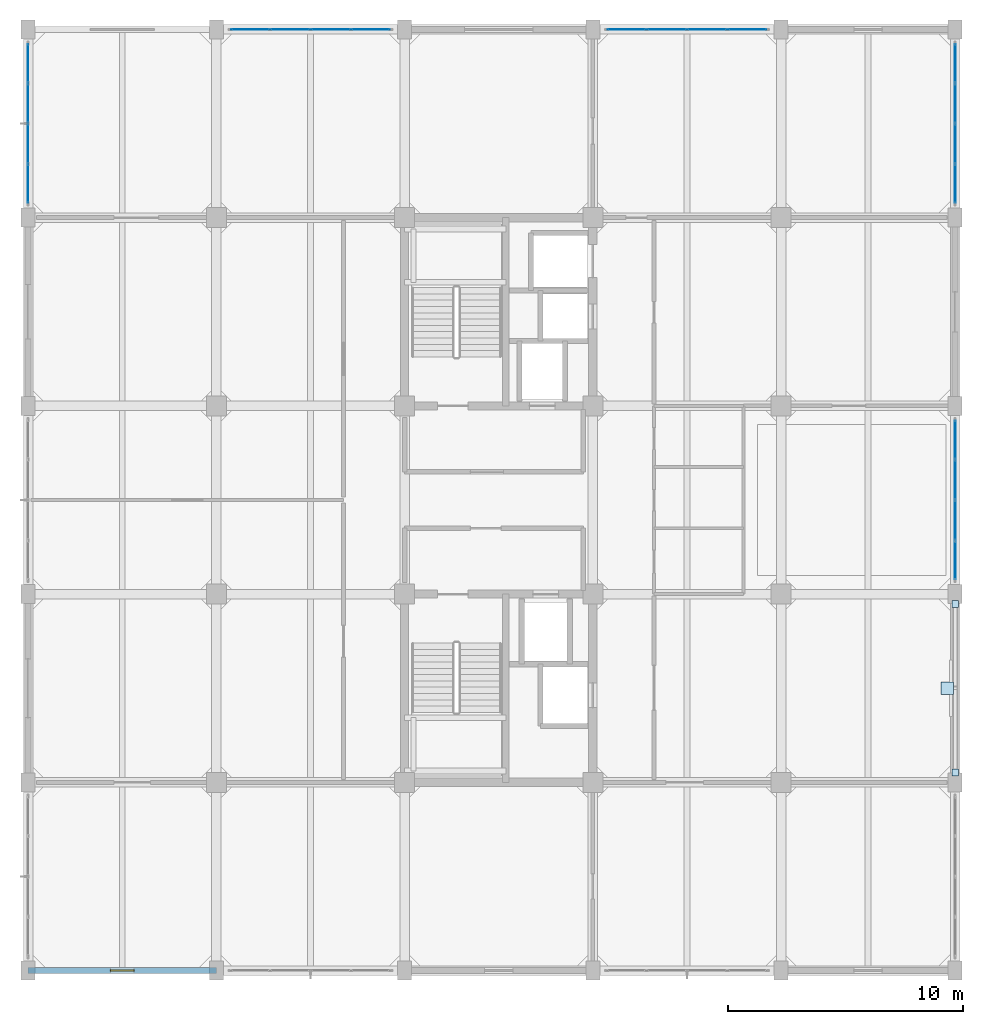
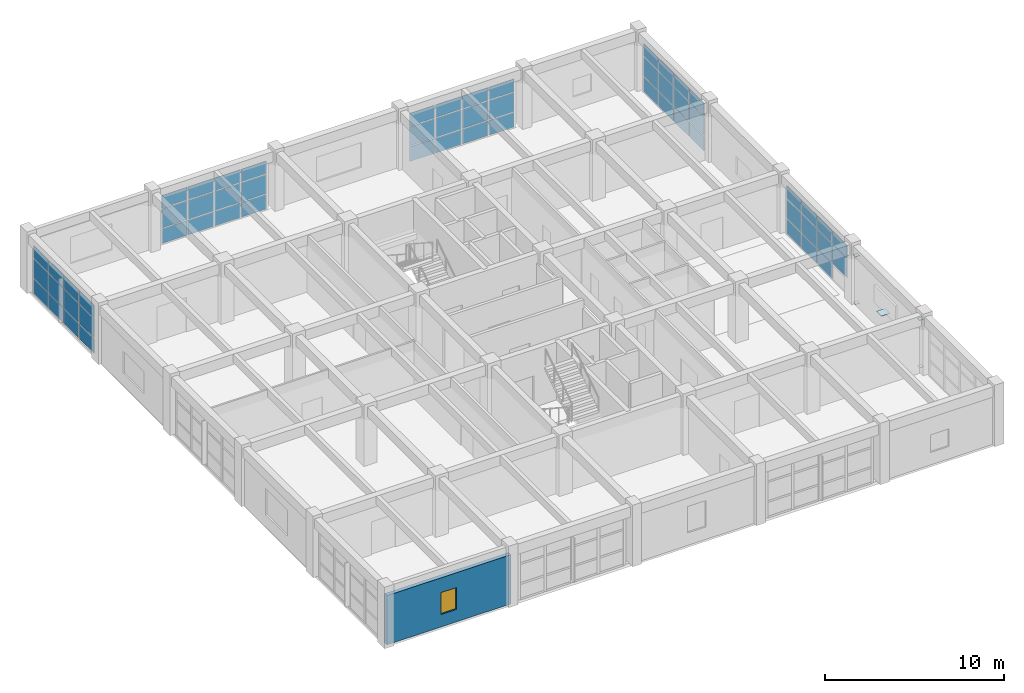
# One storey, part 20 of 27: 64 plates, 1 wall, 1 window, 1 opening, 5 elements without a shape of their own.
"""IFC4 building model written with IfcOpenShell, lengths in metres."""

from ifc_helpers import new_model, si_unit, direction, frame, frame_2d, origin, origin_2d, place, context, subcontext, project, spatial, rectangle, extrude, material, layer, layer_set, type_object, element, fill, aggregate, save


model = new_model("IFC4")

# Units and contexts
model_context = context("Model", 3, precision=1e-05, world=origin(), true_north=direction((0.0, 1.0)))
body_context = subcontext(model_context, "Body", "Model", "MODEL_VIEW")
ifc_project = project(units=[si_unit("LENGTHUNIT", "METRE"), si_unit("AREAUNIT", "SQUARE_METRE"), si_unit("VOLUMEUNIT", "CUBIC_METRE"), si_unit("PLANEANGLEUNIT", "RADIAN"), si_unit("MASSUNIT", "GRAM", prefix="KILO")], contexts=[model_context])

# Site, building, storey
site_placement = place(None, origin())
site = spatial("IfcSite", under=ifc_project, at=site_placement, CompositionType="ELEMENT")
building_placement = place(site_placement, origin())
building = spatial("IfcBuilding", under=site, at=building_placement, Name="Canggui Botanical Conservatory", CompositionType="ELEMENT")
storey_placement = place(building_placement, frame((0.0, 0.0, 31.800048828125)))
storey = spatial("IfcBuildingStorey", under=building, at=storey_placement, Name="L08", CompositionType="ELEMENT", Elevation=31.800048828125)

# Curtain wall, plates
ifc_material_1 = material(Name="Thermally Broken Aluminium", Category="aluminium")
ifc_layer_1 = layer(ifc_material_1, 0.1650390625, Name="Thermally Broken Aluminium", Category="aluminium")
ifc_layer_set_1 = layer_set([ifc_layer_1], Name="Thermally Broken Aluminium")
curtain_wall_type = type_object("IfcCurtainWallType", Name="CW-UNIT-B", PredefinedType="USERDEFINED", material=ifc_layer_set_1)
curtain_wall_1_placement = place(storey_placement, origin())
curtain_wall_1 = element("IfcCurtainWall", 1, at=curtain_wall_1_placement, inside=storey, type_object=curtain_wall_type, Name="Facade Curtain Wall CW-TWR-L08-10", ObjectType="UNITISED CURTAIN WALL", PredefinedType="USERDEFINED")
ifc_material_2 = material(Name="Low-E Insulated Glass", Category="glass")
ifc_layer_2 = layer(ifc_material_2, 0.030029296875, Name="Low-E Insulated Glass", Category="glass")
ifc_layer_set_2 = layer_set([ifc_layer_2], Name="Low-E Insulated Glass")
plate_type_1 = type_object("IfcPlateType", Name="CWP-02", PredefinedType="CURTAIN_PANEL", material=ifc_layer_set_2)
plate_1_placement = place(storey_placement, frame((138.0, 67.436279296875, 0.059814453125), z_axis=(0.0, 0.0, 1.0), x_axis=(0.0, 1.0, 0.0)))
plate_1 = element("IfcPlate", 2, at=plate_1_placement, type_object=plate_type_1, Name="CW-02 panel 1.1", PredefinedType="CURTAIN_PANEL", context=body_context, shape_type="SweptSolid", body=[
    extrude(rectangle(XDim=1.62255859375, YDim=0.030029296875, at=origin_2d()), origin(), (0.0, 0.0, 1.0), 0.998046875),
])
plate_2_placement = place(storey_placement, frame((138.0, 67.436279296875, 1.1181640625), z_axis=(0.0, 0.0, 1.0), x_axis=(0.0, 1.0, 0.0)))
plate_2 = element("IfcPlate", 3, at=plate_2_placement, type_object=plate_type_1, Name="CW-02 panel 1.2", PredefinedType="CURTAIN_PANEL", context=body_context, shape_type="SweptSolid", body=[
    extrude(rectangle(XDim=1.62255859375, YDim=0.030029296875, at=origin_2d()), origin(), (0.0, 0.0, 1.0), 1.300048828125),
])
plate_3_placement = place(storey_placement, frame((138.0, 67.436279296875, 2.47802734375), z_axis=(0.0, 0.0, 1.0), x_axis=(0.0, 1.0, 0.0)))
plate_3 = element("IfcPlate", 4, at=plate_3_placement, type_object=plate_type_1, Name="CW-02 panel 1.3", PredefinedType="CURTAIN_PANEL", context=body_context, shape_type="SweptSolid", body=[
    extrude(rectangle(XDim=1.62255859375, YDim=0.030029296875, at=origin_2d()), origin(), (0.0, 0.0, 1.0), 0.862060546875),
])
plate_4_placement = place(storey_placement, frame((138.0, 69.139892578125, 0.059814453125), z_axis=(0.0, 0.0, 1.0), x_axis=(0.0, 1.0, 0.0)))
plate_4 = element("IfcPlate", 5, at=plate_4_placement, type_object=plate_type_1, Name="CW-02 panel 2.1", PredefinedType="CURTAIN_PANEL", context=body_context, shape_type="SweptSolid", body=[
    extrude(rectangle(XDim=1.655029296875, YDim=0.030029296875, at=origin_2d()), origin(), (0.0, 0.0, 1.0), 0.998046875),
])
plate_5_placement = place(storey_placement, frame((138.0, 69.139892578125, 1.1181640625), z_axis=(0.0, 0.0, 1.0), x_axis=(0.0, 1.0, 0.0)))
plate_5 = element("IfcPlate", 6, at=plate_5_placement, type_object=plate_type_1, Name="CW-02 panel 2.2", PredefinedType="CURTAIN_PANEL", context=body_context, shape_type="SweptSolid", body=[
    extrude(rectangle(XDim=1.655029296875, YDim=0.030029296875, at=origin_2d()), origin(), (0.0, 0.0, 1.0), 1.300048828125),
])
plate_6_placement = place(storey_placement, frame((138.0, 69.139892578125, 2.47802734375), z_axis=(0.0, 0.0, 1.0), x_axis=(0.0, 1.0, 0.0)))
plate_6 = element("IfcPlate", 7, at=plate_6_placement, type_object=plate_type_1, Name="CW-02 panel 2.3", PredefinedType="CURTAIN_PANEL", context=body_context, shape_type="SweptSolid", body=[
    extrude(rectangle(XDim=1.655029296875, YDim=0.030029296875, at=origin_2d()), origin(), (0.0, 0.0, 1.0), 0.862060546875),
])
plate_7_placement = place(storey_placement, frame((138.0, 70.860107421875, 0.059814453125), z_axis=(0.0, 0.0, 1.0), x_axis=(0.0, 1.0, 0.0)))
plate_7 = element("IfcPlate", 8, at=plate_7_placement, type_object=plate_type_1, Name="CW-02 panel 3.1", PredefinedType="CURTAIN_PANEL", context=body_context, shape_type="SweptSolid", body=[
    extrude(rectangle(XDim=1.655029296875, YDim=0.030029296875, at=origin_2d()), origin(), (0.0, 0.0, 1.0), 0.998046875),
])
plate_8_placement = place(storey_placement, frame((138.0, 70.860107421875, 1.1181640625), z_axis=(0.0, 0.0, 1.0), x_axis=(0.0, 1.0, 0.0)))
plate_8 = element("IfcPlate", 9, at=plate_8_placement, type_object=plate_type_1, Name="CW-02 panel 3.2", PredefinedType="CURTAIN_PANEL", context=body_context, shape_type="SweptSolid", body=[
    extrude(rectangle(XDim=1.655029296875, YDim=0.030029296875, at=origin_2d()), origin(), (0.0, 0.0, 1.0), 1.300048828125),
])
plate_9_placement = place(storey_placement, frame((138.0, 70.860107421875, 2.47802734375), z_axis=(0.0, 0.0, 1.0), x_axis=(0.0, 1.0, 0.0)))
plate_9 = element("IfcPlate", 10, at=plate_9_placement, type_object=plate_type_1, Name="CW-02 panel 3.3", PredefinedType="CURTAIN_PANEL", context=body_context, shape_type="SweptSolid", body=[
    extrude(rectangle(XDim=1.655029296875, YDim=0.030029296875, at=origin_2d()), origin(), (0.0, 0.0, 1.0), 0.862060546875),
])
plate_10_placement = place(storey_placement, frame((138.0, 72.563720703125, 0.059814453125), z_axis=(0.0, 0.0, 1.0), x_axis=(0.0, 1.0, 0.0)))
plate_10 = element("IfcPlate", 11, at=plate_10_placement, type_object=plate_type_1, Name="CW-02 panel 4.1", PredefinedType="CURTAIN_PANEL", context=body_context, shape_type="SweptSolid", body=[
    extrude(rectangle(XDim=1.62255859375, YDim=0.030029296875, at=origin_2d()), origin(), (0.0, 0.0, 1.0), 0.998046875),
])
plate_11_placement = place(storey_placement, frame((138.0, 72.563720703125, 1.1181640625), z_axis=(0.0, 0.0, 1.0), x_axis=(0.0, 1.0, 0.0)))
plate_11 = element("IfcPlate", 12, at=plate_11_placement, type_object=plate_type_1, Name="CW-02 panel 4.2", PredefinedType="CURTAIN_PANEL", context=body_context, shape_type="SweptSolid", body=[
    extrude(rectangle(XDim=1.62255859375, YDim=0.030029296875, at=origin_2d()), origin(), (0.0, 0.0, 1.0), 1.300048828125),
])
plate_12_placement = place(storey_placement, frame((138.0, 72.563720703125, 2.47802734375), z_axis=(0.0, 0.0, 1.0), x_axis=(0.0, 1.0, 0.0)))
plate_12 = element("IfcPlate", 13, at=plate_12_placement, type_object=plate_type_1, Name="CW-02 panel 4.3", PredefinedType="CURTAIN_PANEL", context=body_context, shape_type="SweptSolid", body=[
    extrude(rectangle(XDim=1.62255859375, YDim=0.030029296875, at=origin_2d()), origin(), (0.0, 0.0, 1.0), 0.862060546875),
])
aggregate(curtain_wall_1, [plate_1, plate_2, plate_3, plate_4, plate_5, plate_6, plate_7, plate_8, plate_9, plate_10, plate_11, plate_12])

curtain_wall_2_placement = place(storey_placement, origin())
curtain_wall_2 = element("IfcCurtainWall", 14, at=curtain_wall_2_placement, inside=storey, type_object=curtain_wall_type, Name="Facade Curtain Wall CW-TWR-L08-12", ObjectType="UNITISED CURTAIN WALL", PredefinedType="USERDEFINED")
plate_13_placement = place(storey_placement, frame((147.436279296875, 74.0, 0.059814453125), z_axis=(0.0, 0.0, 1.0), x_axis=(1.0, 0.0, 0.0)))
plate_13 = element("IfcPlate", 15, at=plate_13_placement, type_object=plate_type_1, Name="CW-02 panel 1.1", PredefinedType="CURTAIN_PANEL", context=body_context, shape_type="SweptSolid", body=[
    extrude(rectangle(XDim=1.62255859375, YDim=0.030029296875, at=origin_2d()), origin(), (0.0, 0.0, 1.0), 0.998046875),
])
plate_14_placement = place(storey_placement, frame((147.436279296875, 74.0, 1.1181640625), z_axis=(0.0, 0.0, 1.0), x_axis=(1.0, 0.0, 0.0)))
plate_14 = element("IfcPlate", 16, at=plate_14_placement, type_object=plate_type_1, Name="CW-02 panel 1.2", PredefinedType="CURTAIN_PANEL", context=body_context, shape_type="SweptSolid", body=[
    extrude(rectangle(XDim=1.62255859375, YDim=0.030029296875, at=origin_2d()), origin(), (0.0, 0.0, 1.0), 1.300048828125),
])
plate_15_placement = place(storey_placement, frame((147.436279296875, 74.0, 2.47802734375), z_axis=(0.0, 0.0, 1.0), x_axis=(1.0, 0.0, 0.0)))
plate_15 = element("IfcPlate", 17, at=plate_15_placement, type_object=plate_type_1, Name="CW-02 panel 1.3", PredefinedType="CURTAIN_PANEL", context=body_context, shape_type="SweptSolid", body=[
    extrude(rectangle(XDim=1.62255859375, YDim=0.030029296875, at=origin_2d()), origin(), (0.0, 0.0, 1.0), 0.862060546875),
])
plate_16_placement = place(storey_placement, frame((149.139892578125, 74.0, 0.059814453125), z_axis=(0.0, 0.0, 1.0), x_axis=(1.0, 0.0, 0.0)))
plate_16 = element("IfcPlate", 18, at=plate_16_placement, type_object=plate_type_1, Name="CW-02 panel 2.1", PredefinedType="CURTAIN_PANEL", context=body_context, shape_type="SweptSolid", body=[
    extrude(rectangle(XDim=1.655029296875, YDim=0.030029296875, at=origin_2d()), origin(), (0.0, 0.0, 1.0), 0.998046875),
])
plate_17_placement = place(storey_placement, frame((149.139892578125, 74.0, 1.1181640625), z_axis=(0.0, 0.0, 1.0), x_axis=(1.0, 0.0, 0.0)))
plate_17 = element("IfcPlate", 19, at=plate_17_placement, type_object=plate_type_1, Name="CW-02 panel 2.2", PredefinedType="CURTAIN_PANEL", context=body_context, shape_type="SweptSolid", body=[
    extrude(rectangle(XDim=1.655029296875, YDim=0.030029296875, at=origin_2d()), origin(), (0.0, 0.0, 1.0), 1.300048828125),
])
plate_18_placement = place(storey_placement, frame((149.139892578125, 74.0, 2.47802734375), z_axis=(0.0, 0.0, 1.0), x_axis=(1.0, 0.0, 0.0)))
plate_18 = element("IfcPlate", 20, at=plate_18_placement, type_object=plate_type_1, Name="CW-02 panel 2.3", PredefinedType="CURTAIN_PANEL", context=body_context, shape_type="SweptSolid", body=[
    extrude(rectangle(XDim=1.655029296875, YDim=0.030029296875, at=origin_2d()), origin(), (0.0, 0.0, 1.0), 0.862060546875),
])
plate_19_placement = place(storey_placement, frame((150.860107421875, 74.0, 0.059814453125), z_axis=(0.0, 0.0, 1.0), x_axis=(1.0, 0.0, 0.0)))
plate_19 = element("IfcPlate", 21, at=plate_19_placement, type_object=plate_type_1, Name="CW-02 panel 3.1", PredefinedType="CURTAIN_PANEL", context=body_context, shape_type="SweptSolid", body=[
    extrude(rectangle(XDim=1.655029296875, YDim=0.030029296875, at=origin_2d()), origin(), (0.0, 0.0, 1.0), 0.998046875),
])
plate_20_placement = place(storey_placement, frame((150.860107421875, 74.0, 1.1181640625), z_axis=(0.0, 0.0, 1.0), x_axis=(1.0, 0.0, 0.0)))
plate_20 = element("IfcPlate", 22, at=plate_20_placement, type_object=plate_type_1, Name="CW-02 panel 3.2", PredefinedType="CURTAIN_PANEL", context=body_context, shape_type="SweptSolid", body=[
    extrude(rectangle(XDim=1.655029296875, YDim=0.030029296875, at=origin_2d()), origin(), (0.0, 0.0, 1.0), 1.300048828125),
])
plate_21_placement = place(storey_placement, frame((150.860107421875, 74.0, 2.47802734375), z_axis=(0.0, 0.0, 1.0), x_axis=(1.0, 0.0, 0.0)))
plate_21 = element("IfcPlate", 23, at=plate_21_placement, type_object=plate_type_1, Name="CW-02 panel 3.3", PredefinedType="CURTAIN_PANEL", context=body_context, shape_type="SweptSolid", body=[
    extrude(rectangle(XDim=1.655029296875, YDim=0.030029296875, at=origin_2d()), origin(), (0.0, 0.0, 1.0), 0.862060546875),
])
plate_22_placement = place(storey_placement, frame((152.563720703125, 74.0, 0.059814453125), z_axis=(0.0, 0.0, 1.0), x_axis=(1.0, 0.0, 0.0)))
plate_22 = element("IfcPlate", 24, at=plate_22_placement, type_object=plate_type_1, Name="CW-02 panel 4.1", PredefinedType="CURTAIN_PANEL", context=body_context, shape_type="SweptSolid", body=[
    extrude(rectangle(XDim=1.62255859375, YDim=0.030029296875, at=origin_2d()), origin(), (0.0, 0.0, 1.0), 0.998046875),
])
plate_23_placement = place(storey_placement, frame((152.563720703125, 74.0, 1.1181640625), z_axis=(0.0, 0.0, 1.0), x_axis=(1.0, 0.0, 0.0)))
plate_23 = element("IfcPlate", 25, at=plate_23_placement, type_object=plate_type_1, Name="CW-02 panel 4.2", PredefinedType="CURTAIN_PANEL", context=body_context, shape_type="SweptSolid", body=[
    extrude(rectangle(XDim=1.62255859375, YDim=0.030029296875, at=origin_2d()), origin(), (0.0, 0.0, 1.0), 1.300048828125),
])
plate_24_placement = place(storey_placement, frame((152.563720703125, 74.0, 2.47802734375), z_axis=(0.0, 0.0, 1.0), x_axis=(1.0, 0.0, 0.0)))
plate_24 = element("IfcPlate", 26, at=plate_24_placement, type_object=plate_type_1, Name="CW-02 panel 4.3", PredefinedType="CURTAIN_PANEL", context=body_context, shape_type="SweptSolid", body=[
    extrude(rectangle(XDim=1.62255859375, YDim=0.030029296875, at=origin_2d()), origin(), (0.0, 0.0, 1.0), 0.862060546875),
])
aggregate(curtain_wall_2, [plate_13, plate_14, plate_15, plate_16, plate_17, plate_18, plate_19, plate_20, plate_21, plate_22, plate_23, plate_24])

curtain_wall_3_placement = place(storey_placement, origin())
curtain_wall_3 = element("IfcCurtainWall", 27, at=curtain_wall_3_placement, inside=storey, type_object=curtain_wall_type, Name="Facade Curtain Wall CW-TWR-L08-14", ObjectType="UNITISED CURTAIN WALL", PredefinedType="USERDEFINED")
plate_25_placement = place(storey_placement, frame((163.436279296875, 74.0, 0.059814453125), z_axis=(0.0, 0.0, 1.0), x_axis=(1.0, 0.0, 0.0)))
plate_25 = element("IfcPlate", 28, at=plate_25_placement, type_object=plate_type_1, Name="CW-02 panel 1.1", PredefinedType="CURTAIN_PANEL", context=body_context, shape_type="SweptSolid", body=[
    extrude(rectangle(XDim=1.62255859375, YDim=0.030029296875, at=origin_2d()), origin(), (0.0, 0.0, 1.0), 0.998046875),
])
plate_26_placement = place(storey_placement, frame((163.436279296875, 74.0, 1.1181640625), z_axis=(0.0, 0.0, 1.0), x_axis=(1.0, 0.0, 0.0)))
plate_26 = element("IfcPlate", 29, at=plate_26_placement, type_object=plate_type_1, Name="CW-02 panel 1.2", PredefinedType="CURTAIN_PANEL", context=body_context, shape_type="SweptSolid", body=[
    extrude(rectangle(XDim=1.62255859375, YDim=0.030029296875, at=origin_2d()), origin(), (0.0, 0.0, 1.0), 1.300048828125),
])
plate_27_placement = place(storey_placement, frame((163.436279296875, 74.0, 2.47802734375), z_axis=(0.0, 0.0, 1.0), x_axis=(1.0, 0.0, 0.0)))
plate_27 = element("IfcPlate", 30, at=plate_27_placement, type_object=plate_type_1, Name="CW-02 panel 1.3", PredefinedType="CURTAIN_PANEL", context=body_context, shape_type="SweptSolid", body=[
    extrude(rectangle(XDim=1.62255859375, YDim=0.030029296875, at=origin_2d()), origin(), (0.0, 0.0, 1.0), 0.862060546875),
])
plate_28_placement = place(storey_placement, frame((165.139892578125, 74.0, 0.059814453125), z_axis=(0.0, 0.0, 1.0), x_axis=(1.0, 0.0, 0.0)))
plate_28 = element("IfcPlate", 31, at=plate_28_placement, type_object=plate_type_1, Name="CW-02 panel 2.1", PredefinedType="CURTAIN_PANEL", context=body_context, shape_type="SweptSolid", body=[
    extrude(rectangle(XDim=1.655029296875, YDim=0.030029296875, at=origin_2d()), origin(), (0.0, 0.0, 1.0), 0.998046875),
])
plate_29_placement = place(storey_placement, frame((165.139892578125, 74.0, 1.1181640625), z_axis=(0.0, 0.0, 1.0), x_axis=(1.0, 0.0, 0.0)))
plate_29 = element("IfcPlate", 32, at=plate_29_placement, type_object=plate_type_1, Name="CW-02 panel 2.2", PredefinedType="CURTAIN_PANEL", context=body_context, shape_type="SweptSolid", body=[
    extrude(rectangle(XDim=1.655029296875, YDim=0.030029296875, at=origin_2d()), origin(), (0.0, 0.0, 1.0), 1.300048828125),
])
plate_30_placement = place(storey_placement, frame((165.139892578125, 74.0, 2.47802734375), z_axis=(0.0, 0.0, 1.0), x_axis=(1.0, 0.0, 0.0)))
plate_30 = element("IfcPlate", 33, at=plate_30_placement, type_object=plate_type_1, Name="CW-02 panel 2.3", PredefinedType="CURTAIN_PANEL", context=body_context, shape_type="SweptSolid", body=[
    extrude(rectangle(XDim=1.655029296875, YDim=0.030029296875, at=origin_2d()), origin(), (0.0, 0.0, 1.0), 0.862060546875),
])
plate_31_placement = place(storey_placement, frame((166.860107421875, 74.0, 0.059814453125), z_axis=(0.0, 0.0, 1.0), x_axis=(1.0, 0.0, 0.0)))
plate_31 = element("IfcPlate", 34, at=plate_31_placement, type_object=plate_type_1, Name="CW-02 panel 3.1", PredefinedType="CURTAIN_PANEL", context=body_context, shape_type="SweptSolid", body=[
    extrude(rectangle(XDim=1.655029296875, YDim=0.030029296875, at=origin_2d()), origin(), (0.0, 0.0, 1.0), 0.998046875),
])
plate_32_placement = place(storey_placement, frame((166.860107421875, 74.0, 1.1181640625), z_axis=(0.0, 0.0, 1.0), x_axis=(1.0, 0.0, 0.0)))
plate_32 = element("IfcPlate", 35, at=plate_32_placement, type_object=plate_type_1, Name="CW-02 panel 3.2", PredefinedType="CURTAIN_PANEL", context=body_context, shape_type="SweptSolid", body=[
    extrude(rectangle(XDim=1.655029296875, YDim=0.030029296875, at=origin_2d()), origin(), (0.0, 0.0, 1.0), 1.300048828125),
])
plate_33_placement = place(storey_placement, frame((166.860107421875, 74.0, 2.47802734375), z_axis=(0.0, 0.0, 1.0), x_axis=(1.0, 0.0, 0.0)))
plate_33 = element("IfcPlate", 36, at=plate_33_placement, type_object=plate_type_1, Name="CW-02 panel 3.3", PredefinedType="CURTAIN_PANEL", context=body_context, shape_type="SweptSolid", body=[
    extrude(rectangle(XDim=1.655029296875, YDim=0.030029296875, at=origin_2d()), origin(), (0.0, 0.0, 1.0), 0.862060546875),
])
plate_34_placement = place(storey_placement, frame((168.563720703125, 74.0, 0.059814453125), z_axis=(0.0, 0.0, 1.0), x_axis=(1.0, 0.0, 0.0)))
plate_34 = element("IfcPlate", 37, at=plate_34_placement, type_object=plate_type_1, Name="CW-02 panel 4.1", PredefinedType="CURTAIN_PANEL", context=body_context, shape_type="SweptSolid", body=[
    extrude(rectangle(XDim=1.62255859375, YDim=0.030029296875, at=origin_2d()), origin(), (0.0, 0.0, 1.0), 0.998046875),
])
plate_35_placement = place(storey_placement, frame((168.563720703125, 74.0, 1.1181640625), z_axis=(0.0, 0.0, 1.0), x_axis=(1.0, 0.0, 0.0)))
plate_35 = element("IfcPlate", 38, at=plate_35_placement, type_object=plate_type_1, Name="CW-02 panel 4.2", PredefinedType="CURTAIN_PANEL", context=body_context, shape_type="SweptSolid", body=[
    extrude(rectangle(XDim=1.62255859375, YDim=0.030029296875, at=origin_2d()), origin(), (0.0, 0.0, 1.0), 1.300048828125),
])
plate_36_placement = place(storey_placement, frame((168.563720703125, 74.0, 2.47802734375), z_axis=(0.0, 0.0, 1.0), x_axis=(1.0, 0.0, 0.0)))
plate_36 = element("IfcPlate", 39, at=plate_36_placement, type_object=plate_type_1, Name="CW-02 panel 4.3", PredefinedType="CURTAIN_PANEL", context=body_context, shape_type="SweptSolid", body=[
    extrude(rectangle(XDim=1.62255859375, YDim=0.030029296875, at=origin_2d()), origin(), (0.0, 0.0, 1.0), 0.862060546875),
])
aggregate(curtain_wall_3, [plate_25, plate_26, plate_27, plate_28, plate_29, plate_30, plate_31, plate_32, plate_33, plate_34, plate_35, plate_36])

curtain_wall_4_placement = place(storey_placement, origin())
curtain_wall_4 = element("IfcCurtainWall", 40, at=curtain_wall_4_placement, inside=storey, type_object=curtain_wall_type, Name="Facade Curtain Wall CW-TWR-L08-16", ObjectType="UNITISED CURTAIN WALL", PredefinedType="USERDEFINED")
plate_37_placement = place(storey_placement, frame((177.39990234375, 72.563720703125, 0.059814453125), z_axis=(0.0, 0.0, 1.0), x_axis=(0.0, -1.0, 0.0)))
plate_37 = element("IfcPlate", 41, at=plate_37_placement, type_object=plate_type_1, Name="CW-02 panel 1.1", PredefinedType="CURTAIN_PANEL", context=body_context, shape_type="SweptSolid", body=[
    extrude(rectangle(XDim=1.62255859375, YDim=0.030029296875, at=origin_2d()), origin(), (0.0, 0.0, 1.0), 0.998046875),
])
plate_38_placement = place(storey_placement, frame((177.39990234375, 72.563720703125, 1.1181640625), z_axis=(0.0, 0.0, 1.0), x_axis=(0.0, -1.0, 0.0)))
plate_38 = element("IfcPlate", 42, at=plate_38_placement, type_object=plate_type_1, Name="CW-02 panel 1.2", PredefinedType="CURTAIN_PANEL", context=body_context, shape_type="SweptSolid", body=[
    extrude(rectangle(XDim=1.62255859375, YDim=0.030029296875, at=origin_2d()), origin(), (0.0, 0.0, 1.0), 1.300048828125),
])
plate_39_placement = place(storey_placement, frame((177.39990234375, 72.563720703125, 2.47802734375), z_axis=(0.0, 0.0, 1.0), x_axis=(0.0, -1.0, 0.0)))
plate_39 = element("IfcPlate", 43, at=plate_39_placement, type_object=plate_type_1, Name="CW-02 panel 1.3", PredefinedType="CURTAIN_PANEL", context=body_context, shape_type="SweptSolid", body=[
    extrude(rectangle(XDim=1.62255859375, YDim=0.030029296875, at=origin_2d()), origin(), (0.0, 0.0, 1.0), 0.862060546875),
])
plate_40_placement = place(storey_placement, frame((177.39990234375, 70.860107421875, 0.059814453125), z_axis=(0.0, 0.0, 1.0), x_axis=(0.0, -1.0, 0.0)))
plate_40 = element("IfcPlate", 44, at=plate_40_placement, type_object=plate_type_1, Name="CW-02 panel 2.1", PredefinedType="CURTAIN_PANEL", context=body_context, shape_type="SweptSolid", body=[
    extrude(rectangle(XDim=1.655029296875, YDim=0.030029296875, at=origin_2d()), origin(), (0.0, 0.0, 1.0), 0.998046875),
])
plate_41_placement = place(storey_placement, frame((177.39990234375, 70.860107421875, 1.1181640625), z_axis=(0.0, 0.0, 1.0), x_axis=(0.0, -1.0, 0.0)))
plate_41 = element("IfcPlate", 45, at=plate_41_placement, type_object=plate_type_1, Name="CW-02 panel 2.2", PredefinedType="CURTAIN_PANEL", context=body_context, shape_type="SweptSolid", body=[
    extrude(rectangle(XDim=1.655029296875, YDim=0.030029296875, at=origin_2d()), origin(), (0.0, 0.0, 1.0), 1.300048828125),
])
plate_42_placement = place(storey_placement, frame((177.39990234375, 70.860107421875, 2.47802734375), z_axis=(0.0, 0.0, 1.0), x_axis=(0.0, -1.0, 0.0)))
plate_42 = element("IfcPlate", 46, at=plate_42_placement, type_object=plate_type_1, Name="CW-02 panel 2.3", PredefinedType="CURTAIN_PANEL", context=body_context, shape_type="SweptSolid", body=[
    extrude(rectangle(XDim=1.655029296875, YDim=0.030029296875, at=origin_2d()), origin(), (0.0, 0.0, 1.0), 0.862060546875),
])
plate_43_placement = place(storey_placement, frame((177.39990234375, 69.139892578125, 0.059814453125), z_axis=(0.0, 0.0, 1.0), x_axis=(0.0, -1.0, 0.0)))
plate_43 = element("IfcPlate", 47, at=plate_43_placement, type_object=plate_type_1, Name="CW-02 panel 3.1", PredefinedType="CURTAIN_PANEL", context=body_context, shape_type="SweptSolid", body=[
    extrude(rectangle(XDim=1.655029296875, YDim=0.030029296875, at=origin_2d()), origin(), (0.0, 0.0, 1.0), 0.998046875),
])
plate_44_placement = place(storey_placement, frame((177.39990234375, 69.139892578125, 1.1181640625), z_axis=(0.0, 0.0, 1.0), x_axis=(0.0, -1.0, 0.0)))
plate_44 = element("IfcPlate", 48, at=plate_44_placement, type_object=plate_type_1, Name="CW-02 panel 3.2", PredefinedType="CURTAIN_PANEL", context=body_context, shape_type="SweptSolid", body=[
    extrude(rectangle(XDim=1.655029296875, YDim=0.030029296875, at=origin_2d()), origin(), (0.0, 0.0, 1.0), 1.300048828125),
])
plate_45_placement = place(storey_placement, frame((177.39990234375, 69.139892578125, 2.47802734375), z_axis=(0.0, 0.0, 1.0), x_axis=(0.0, -1.0, 0.0)))
plate_45 = element("IfcPlate", 49, at=plate_45_placement, type_object=plate_type_1, Name="CW-02 panel 3.3", PredefinedType="CURTAIN_PANEL", context=body_context, shape_type="SweptSolid", body=[
    extrude(rectangle(XDim=1.655029296875, YDim=0.030029296875, at=origin_2d()), origin(), (0.0, 0.0, 1.0), 0.862060546875),
])
plate_46_placement = place(storey_placement, frame((177.39990234375, 67.436279296875, 0.059814453125), z_axis=(0.0, 0.0, 1.0), x_axis=(0.0, -1.0, 0.0)))
plate_46 = element("IfcPlate", 50, at=plate_46_placement, type_object=plate_type_1, Name="CW-02 panel 4.1", PredefinedType="CURTAIN_PANEL", context=body_context, shape_type="SweptSolid", body=[
    extrude(rectangle(XDim=1.62255859375, YDim=0.030029296875, at=origin_2d()), origin(), (0.0, 0.0, 1.0), 0.998046875),
])
plate_47_placement = place(storey_placement, frame((177.39990234375, 67.436279296875, 1.1181640625), z_axis=(0.0, 0.0, 1.0), x_axis=(0.0, -1.0, 0.0)))
plate_47 = element("IfcPlate", 51, at=plate_47_placement, type_object=plate_type_1, Name="CW-02 panel 4.2", PredefinedType="CURTAIN_PANEL", context=body_context, shape_type="SweptSolid", body=[
    extrude(rectangle(XDim=1.62255859375, YDim=0.030029296875, at=origin_2d()), origin(), (0.0, 0.0, 1.0), 1.300048828125),
])
plate_48_placement = place(storey_placement, frame((177.39990234375, 67.436279296875, 2.47802734375), z_axis=(0.0, 0.0, 1.0), x_axis=(0.0, -1.0, 0.0)))
plate_48 = element("IfcPlate", 52, at=plate_48_placement, type_object=plate_type_1, Name="CW-02 panel 4.3", PredefinedType="CURTAIN_PANEL", context=body_context, shape_type="SweptSolid", body=[
    extrude(rectangle(XDim=1.62255859375, YDim=0.030029296875, at=origin_2d()), origin(), (0.0, 0.0, 1.0), 0.862060546875),
])
aggregate(curtain_wall_4, [plate_37, plate_38, plate_39, plate_40, plate_41, plate_42, plate_43, plate_44, plate_45, plate_46, plate_47, plate_48])

curtain_wall_5_placement = place(storey_placement, origin())
curtain_wall_5 = element("IfcCurtainWall", 53, at=curtain_wall_5_placement, inside=storey, type_object=curtain_wall_type, Name="Facade Curtain Wall CW-TWR-L08-18", ObjectType="UNITISED CURTAIN WALL", PredefinedType="USERDEFINED")
plate_49_placement = place(storey_placement, frame((177.39990234375, 56.563720703125, 0.059814453125), z_axis=(0.0, 0.0, 1.0), x_axis=(0.0, -1.0, 0.0)))
plate_49 = element("IfcPlate", 54, at=plate_49_placement, type_object=plate_type_1, Name="CW-02 panel 1.1", PredefinedType="CURTAIN_PANEL", context=body_context, shape_type="SweptSolid", body=[
    extrude(rectangle(XDim=1.62255859375, YDim=0.030029296875, at=origin_2d()), origin(), (0.0, 0.0, 1.0), 0.998046875),
])
plate_50_placement = place(storey_placement, frame((177.39990234375, 56.563720703125, 1.1181640625), z_axis=(0.0, 0.0, 1.0), x_axis=(0.0, -1.0, 0.0)))
plate_50 = element("IfcPlate", 55, at=plate_50_placement, type_object=plate_type_1, Name="CW-02 panel 1.2", PredefinedType="CURTAIN_PANEL", context=body_context, shape_type="SweptSolid", body=[
    extrude(rectangle(XDim=1.62255859375, YDim=0.030029296875, at=origin_2d()), origin(), (0.0, 0.0, 1.0), 1.300048828125),
])
plate_51_placement = place(storey_placement, frame((177.39990234375, 56.563720703125, 2.47802734375), z_axis=(0.0, 0.0, 1.0), x_axis=(0.0, -1.0, 0.0)))
plate_51 = element("IfcPlate", 56, at=plate_51_placement, type_object=plate_type_1, Name="CW-02 panel 1.3", PredefinedType="CURTAIN_PANEL", context=body_context, shape_type="SweptSolid", body=[
    extrude(rectangle(XDim=1.62255859375, YDim=0.030029296875, at=origin_2d()), origin(), (0.0, 0.0, 1.0), 0.862060546875),
])
plate_52_placement = place(storey_placement, frame((177.39990234375, 54.860107421875, 0.059814453125), z_axis=(0.0, 0.0, 1.0), x_axis=(0.0, -1.0, 0.0)))
plate_52 = element("IfcPlate", 57, at=plate_52_placement, type_object=plate_type_1, Name="CW-02 panel 2.1", PredefinedType="CURTAIN_PANEL", context=body_context, shape_type="SweptSolid", body=[
    extrude(rectangle(XDim=1.655029296875, YDim=0.030029296875, at=origin_2d()), origin(), (0.0, 0.0, 1.0), 0.998046875),
])
plate_53_placement = place(storey_placement, frame((177.39990234375, 54.860107421875, 1.1181640625), z_axis=(0.0, 0.0, 1.0), x_axis=(0.0, -1.0, 0.0)))
plate_53 = element("IfcPlate", 58, at=plate_53_placement, type_object=plate_type_1, Name="CW-02 panel 2.2", PredefinedType="CURTAIN_PANEL", context=body_context, shape_type="SweptSolid", body=[
    extrude(rectangle(XDim=1.655029296875, YDim=0.030029296875, at=origin_2d()), origin(), (0.0, 0.0, 1.0), 1.300048828125),
])
plate_54_placement = place(storey_placement, frame((177.39990234375, 54.860107421875, 2.47802734375), z_axis=(0.0, 0.0, 1.0), x_axis=(0.0, -1.0, 0.0)))
plate_54 = element("IfcPlate", 59, at=plate_54_placement, type_object=plate_type_1, Name="CW-02 panel 2.3", PredefinedType="CURTAIN_PANEL", context=body_context, shape_type="SweptSolid", body=[
    extrude(rectangle(XDim=1.655029296875, YDim=0.030029296875, at=origin_2d()), origin(), (0.0, 0.0, 1.0), 0.862060546875),
])
plate_55_placement = place(storey_placement, frame((177.39990234375, 53.139892578125, 0.059814453125), z_axis=(0.0, 0.0, 1.0), x_axis=(0.0, -1.0, 0.0)))
plate_55 = element("IfcPlate", 60, at=plate_55_placement, type_object=plate_type_1, Name="CW-02 panel 3.1", PredefinedType="CURTAIN_PANEL", context=body_context, shape_type="SweptSolid", body=[
    extrude(rectangle(XDim=1.655029296875, YDim=0.030029296875, at=origin_2d()), origin(), (0.0, 0.0, 1.0), 0.998046875),
])
plate_56_placement = place(storey_placement, frame((177.39990234375, 53.139892578125, 1.1181640625), z_axis=(0.0, 0.0, 1.0), x_axis=(0.0, -1.0, 0.0)))
plate_56 = element("IfcPlate", 61, at=plate_56_placement, type_object=plate_type_1, Name="CW-02 panel 3.2", PredefinedType="CURTAIN_PANEL", context=body_context, shape_type="SweptSolid", body=[
    extrude(rectangle(XDim=1.655029296875, YDim=0.030029296875, at=origin_2d()), origin(), (0.0, 0.0, 1.0), 1.300048828125),
])
plate_57_placement = place(storey_placement, frame((177.39990234375, 53.139892578125, 2.47802734375), z_axis=(0.0, 0.0, 1.0), x_axis=(0.0, -1.0, 0.0)))
plate_57 = element("IfcPlate", 62, at=plate_57_placement, type_object=plate_type_1, Name="CW-02 panel 3.3", PredefinedType="CURTAIN_PANEL", context=body_context, shape_type="SweptSolid", body=[
    extrude(rectangle(XDim=1.655029296875, YDim=0.030029296875, at=origin_2d()), origin(), (0.0, 0.0, 1.0), 0.862060546875),
])
plate_58_placement = place(storey_placement, frame((177.39990234375, 51.436279296875, 1.1181640625), z_axis=(0.0, 0.0, 1.0), x_axis=(0.0, -1.0, 0.0)))
plate_58 = element("IfcPlate", 63, at=plate_58_placement, type_object=plate_type_1, Name="CW-02 panel 4.2", PredefinedType="CURTAIN_PANEL", context=body_context, shape_type="SweptSolid", body=[
    extrude(rectangle(XDim=1.62255859375, YDim=0.030029296875, at=origin_2d()), origin(), (0.0, 0.0, 1.0), 1.300048828125),
])
plate_59_placement = place(storey_placement, frame((177.39990234375, 51.436279296875, 2.47802734375), z_axis=(0.0, 0.0, 1.0), x_axis=(0.0, -1.0, 0.0)))
plate_59 = element("IfcPlate", 64, at=plate_59_placement, type_object=plate_type_1, Name="CW-02 panel 4.3", PredefinedType="CURTAIN_PANEL", context=body_context, shape_type="SweptSolid", body=[
    extrude(rectangle(XDim=1.62255859375, YDim=0.030029296875, at=origin_2d()), origin(), (0.0, 0.0, 1.0), 0.862060546875),
])
aggregate(curtain_wall_5, [plate_49, plate_50, plate_51, plate_52, plate_53, plate_54, plate_55, plate_56, plate_57, plate_58, plate_59])

# Plates
ifc_material_3 = material(Name="Steel Q355B", Category="steel")
ifc_layer_3 = layer(ifc_material_3, 0.02001953125, Name="Steel Q355B", Category="steel")
ifc_layer_set_3 = layer_set([ifc_layer_3], Name="Steel Q355B")
plate_type_2 = type_object("IfcPlateType", Name="PLT-CAP-20", PredefinedType="USERDEFINED", material=ifc_layer_set_3)
for number, where, z_axis, x_axis, name in (
    (65, (177.39990234375, 42.419921875, 0.0400390625), (0.0, 0.0, 1.0), (1.0, 0.0, 0.0), "CP-ZC-L08-1"),
    (66, (177.39990234375, 49.580078125, 0.0400390625), (0.0, 0.0, 1.0), (1.0, 0.0, 0.0), "CP-ZC-L08-2"),
    (67, (177.39990234375, 42.419921875, 3.2900390625), (0.0, 0.0, 1.0), (1.0, 0.0, 0.0), "CP-ZC-L08-3"),
    (68, (177.39990234375, 49.580078125, 3.2900390625), (0.0, 0.0, 1.0), (1.0, 0.0, 0.0), "CP-ZC-L08-4"),
):
    element("IfcPlate", number, at=place(storey_placement, frame(where, z_axis=z_axis, x_axis=x_axis)), inside=storey, type_object=plate_type_2, Name=name, ObjectType="END CAP PLATE", PredefinedType="USERDEFINED", context=body_context, shape_type="SweptSolid", body=[
        extrude(rectangle(XDim=0.280029296875, YDim=0.280029296875, at=origin_2d()), origin(), (0.0, 0.0, 1.0), 0.02001953125),
    ])
ifc_material_4 = material(Name="Steel Q355C", Category="steel")
ifc_layer_4 = layer(ifc_material_4, 0.02392578125, Name="Steel Q355C", Category="steel")
ifc_layer_set_4 = layer_set([ifc_layer_4], Name="Steel Q355C")
plate_type_3 = type_object("IfcPlateType", Name="PLT-GUSSET-24", PredefinedType="USERDEFINED", material=ifc_layer_set_4)
plate_60_placement = place(storey_placement, frame((177.06005859375, 46.0, 1.6630859375), z_axis=(0.0, 0.0, 1.0), x_axis=(1.0, 0.0, 0.0)))
element("IfcPlate", 69, at=plate_60_placement, inside=storey, type_object=plate_type_3, Name="Seismic X-Brace Central Crossing Gusset Plate L08", ObjectType="GUSSET PLATE", PredefinedType="USERDEFINED", context=body_context, shape_type="SweptSolid", body=[
    extrude(rectangle(XDim=0.5400390625, YDim=0.5400390625, at=origin_2d()), origin(), (0.0, 0.0, 1.0), 0.02392578125),
])

# Wall, opening, window
ifc_material_5 = material(Name="Precast Concrete C40", Category="concrete")
ifc_layer_5 = layer(ifc_material_5, 0.260009765625, Name="Precast Concrete C40", Category="concrete")
ifc_layer_set_5 = layer_set([ifc_layer_5], Name="Precast Concrete C40")
wall_type = type_object("IfcWallType", Name="EW-260", PredefinedType="STANDARD", material=ifc_layer_set_5)
wall_placement = place(storey_placement, frame((146.0, 34.0, 0.0), z_axis=(0.0, 0.0, 1.0), x_axis=(-1.0, 0.0, 0.0)))
wall = element("IfcWall", 70, at=wall_placement, inside=storey, type_object=wall_type, Name="Tower Insulated Exterior Wall L08-S5", PredefinedType="STANDARD", context=body_context, shape_type="SweptSolid", body=[
    extrude(rectangle(XDim=8.0, YDim=0.260009765625, at=frame_2d((4.0, 0.0))), origin(), (0.0, 0.0, 1.0), 3.35986328125),
])
opening_placement = place(wall_placement, frame((3.5, 0.0, 0.85009765625)))
opening = element("IfcOpeningElement", 71, at=opening_placement, cuts=wall, Name="Opening W-16", PredefinedType="OPENING", context=body_context, shape_type="SweptSolid", body=[
    extrude(rectangle(XDim=1.0, YDim=1.5, at=frame_2d((0.5, 0.75))), frame((0.0, 0.14013671875, 0.0), z_axis=(0.0, -1.0, 0.0), x_axis=(1.0, 0.0, 0.0)), (0.0, 0.0, 1.0), 0.280029296875),
])
window_type = type_object("IfcWindowType", Name="WIN-16", PartitioningType="SINGLE_PANEL", PredefinedType="WINDOW", material=ifc_material_2)
window_placement = place(opening_placement, origin())
window = element("IfcWindow", 72, at=window_placement, inside=storey, type_object=window_type, Name="Tower Window L08-5", OverallHeight=1.5, OverallWidth=1.0, PartitioningType="SINGLE_PANEL", PredefinedType="WINDOW", context=body_context, shape_type="SweptSolid", body=[
    extrude(rectangle(XDim=1.0, YDim=1.5, at=frame_2d((0.5, 0.75))), frame((0.0, 0.030029296875, 0.0), z_axis=(0.0, -1.0, 0.0), x_axis=(1.0, 0.0, 0.0)), (0.0, 0.0, 1.0), 0.06005859375),
])
fill(opening, window)

save(model, "model.ifc")
